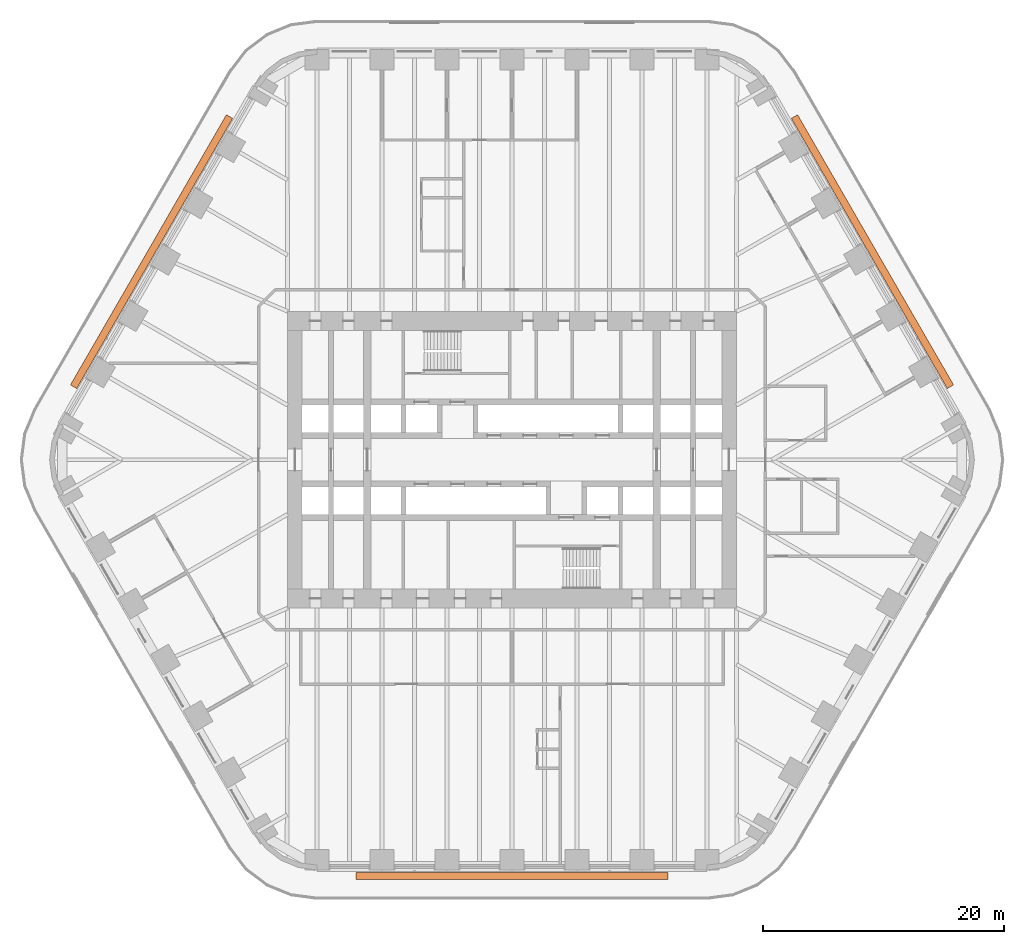
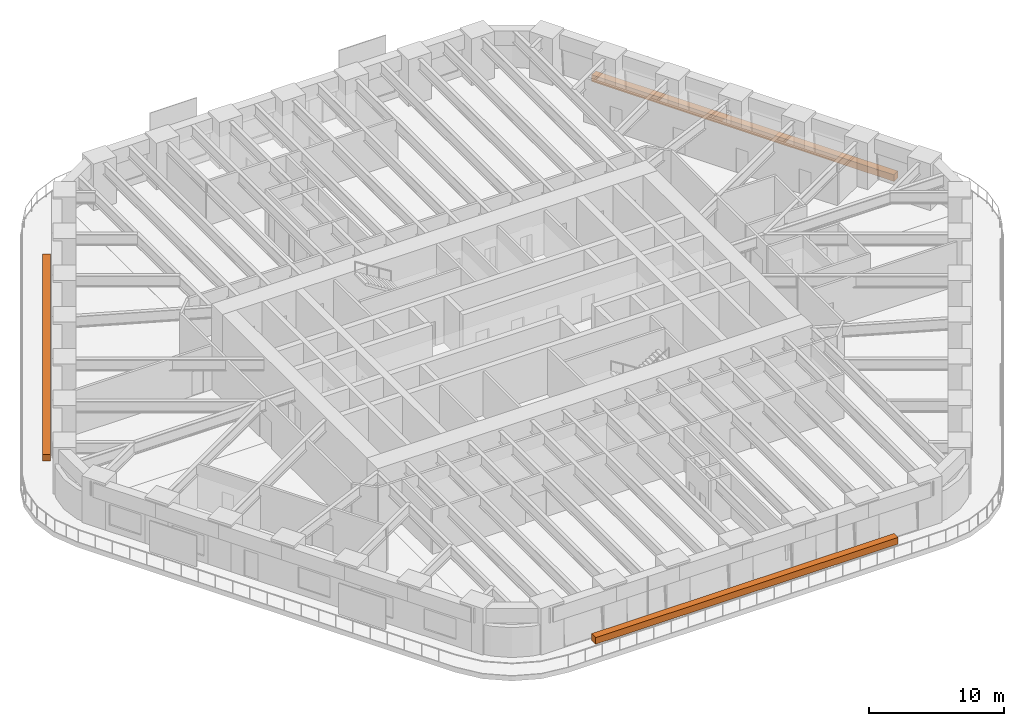
# One storey, part 24 of 24: 3 proxies.
"""IFC4 building model written with IfcOpenShell, lengths in metres."""

import ifcopenshell
import ifcopenshell.guid

model = None  # the IFC model being written
_history = None  # IfcOwnerHistory: only IFC2X3 demands one
_inside = {}  # id of a spatial element -> (the spatial element, [elements in it])
_under = {}  # id of a project, library or spatial element -> (it, [spatial elements below it])
_declared = {}  # id of a project -> (the project, [libraries it declares])
_typed = {}  # id of a type object -> (the type object, [elements of that type])
_made_of = {}  # id of a material, layer set ... -> (it, [elements and type objects made of it])


def new_model(schema):
    """Start an empty IFC model of exactly this schema.

    Asked for "IFC4X3", IfcOpenShell would pick the latest addendum, in which some entities
    have other attributes; the version numbers below select the first issue.
    IFC2X3 requires an IfcOwnerHistory on every rooted entity: one is made here for all.
    """
    global model, _history
    if schema == "IFC4X3":
        model = ifcopenshell.file(schema_version=(4, 3, 0, 0))
    else:
        model = ifcopenshell.file(schema=schema)
    _inside.clear()
    _under.clear()
    _declared.clear()
    _typed.clear()
    _made_of.clear()
    _history = None
    if model.schema == "IFC2X3":
        org = make("IfcOrganization", Name="unknown")
        user = make(
            "IfcPersonAndOrganization",
            ThePerson=make("IfcPerson", FamilyName="unknown"),
            TheOrganization=org,
        )
        app = make(
            "IfcApplication",
            ApplicationDeveloper=org,
            Version="unknown",
            ApplicationFullName="unknown",
            ApplicationIdentifier="unknown",
        )
        _history = make(
            "IfcOwnerHistory",
            OwningUser=user,
            OwningApplication=app,
            ChangeAction="ADDED",
            CreationDate=0,
        )
    return model


def make(cls, **values):
    """One entity of the class cls with the attributes given. An attribute that is None is left unset."""
    return model.create_entity(
        cls, **{name: value for name, value in values.items() if value is not None}
    )


def rooted(cls, **values):
    """An entity with a GlobalId (a new one), such as an element, a storey or a relation."""
    return make(cls, GlobalId=ifcopenshell.guid.new(), OwnerHistory=_history, **values)


def si_unit(unit_type, name, prefix=None):
    """IfcSIUnit, for example si_unit("LENGTHUNIT", "METRE", prefix="MILLI")."""
    return make("IfcSIUnit", UnitType=unit_type, Prefix=prefix, Name=name)


def assignment(units):
    """IfcUnitAssignment: the units of a project."""
    return None if units is None else make("IfcUnitAssignment", Units=units)


def point(xyz):
    """IfcCartesianPoint."""
    return None if xyz is None else make("IfcCartesianPoint", Coordinates=xyz)


def direction(xyz):
    """IfcDirection."""
    return None if xyz is None else make("IfcDirection", DirectionRatios=xyz)


def frame(location, z_axis=None, x_axis=None):
    """IfcAxis2Placement3D, a coordinate frame: its origin and axes. An axis left out is left unset."""
    return make(
        "IfcAxis2Placement3D",
        Location=point(location),
        Axis=direction(z_axis),
        RefDirection=direction(x_axis),
    )


def frame_2d(location, x_axis=None):
    """IfcAxis2Placement2D, a coordinate frame in the plane: its origin and x axis."""
    return make(
        "IfcAxis2Placement2D", Location=point(location), RefDirection=direction(x_axis)
    )


def origin():
    """The frame at (0, 0, 0) with its axes left unset."""
    return frame((0.0, 0.0, 0.0))


def origin_2d():
    """The frame at (0, 0) in the plane with its x axis left unset."""
    return frame_2d((0.0, 0.0))


def place(relative_to, where):
    """IfcLocalPlacement: puts the frame where relative to a parent placement (None: the world)."""
    return make(
        "IfcLocalPlacement", PlacementRelTo=relative_to, RelativePlacement=where
    )


def context(
    kind, dimensions, precision=None, world=None, true_north=None, identifier=None
):
    """IfcGeometricRepresentationContext, for example the 3D "Model" context."""
    return make(
        "IfcGeometricRepresentationContext",
        ContextIdentifier=identifier,
        ContextType=kind,
        CoordinateSpaceDimension=dimensions,
        Precision=precision,
        WorldCoordinateSystem=world,
        TrueNorth=true_north,
    )


def subcontext(parent, identifier, kind, view, scale=None):
    """IfcGeometricRepresentationSubContext, for example "Body" below "Model"."""
    return make(
        "IfcGeometricRepresentationSubContext",
        ContextIdentifier=identifier,
        ContextType=kind,
        ParentContext=parent,
        TargetScale=scale,
        TargetView=view,
    )


def project(units=None, contexts=None):
    """IfcProject with its units and contexts."""
    return rooted(
        "IfcProject",
        Name="project",
        RepresentationContexts=contexts,
        UnitsInContext=assignment(units),
    )


def spatial(cls, under=None, at=None, **own):
    """A site, building, storey or space (cls), placed at a placement, below another one or the project."""
    s = rooted(cls, ObjectPlacement=at, **own)
    if under is not None:
        _under.setdefault(under.id(), (under, []))[1].append(s)
    return s


def profile(cls, at=None, kind="AREA", **sizes):
    """A parametric profile (cls). Its sizes go by their IFC names, for example OverallWidth=200.0."""
    return make(cls, ProfileType=kind, Position=at, **sizes)


def rectangle(**sizes):
    """IfcRectangleProfileDef."""
    return profile("IfcRectangleProfileDef", **sizes)


def extrude(swept, where, along, depth):
    """IfcExtrudedAreaSolid: the profile swept, set in the frame where, extruded along a direction by depth."""
    return make(
        "IfcExtrudedAreaSolid",
        SweptArea=swept,
        Position=where,
        ExtrudedDirection=direction(along),
        Depth=depth,
    )


def shape(context_of_items, identifier, shape_type, items):
    """IfcShapeRepresentation: the items that make up one representation, for example the "Body"."""
    return make(
        "IfcShapeRepresentation",
        ContextOfItems=context_of_items,
        RepresentationIdentifier=identifier,
        RepresentationType=shape_type,
        Items=items,
    )


def material(Name=None, Category=None):
    """IfcMaterial."""
    return make("IfcMaterial", Name=Name, Category=Category)


def made_of(thing, what):
    """Note that an element or type object is made of a material, layer set ...; save() writes the relation."""
    if what is not None:
        _made_of.setdefault(what.id(), (what, []))[1].append(thing)
    return thing


def element(
    cls,
    number,
    at=None,
    inside=None,
    cuts=None,
    type_object=None,
    material=None,
    context=None,
    identifier="Body",
    shape_type=None,
    held_by="IfcProductDefinitionShape",
    body=None,
    shapes=None,
    **own,
):
    """One element of the class cls, such as IfcWall. Its Tag is "e" and its number.

    at: its placement. inside: the storey or other place that contains it. cuts: it is an
    opening in that element (IfcRelVoidsElement). A single representation is given by context,
    identifier, shape_type and body (its items); several are given by shapes. held_by: the class
    of the entity that holds the representations. save() writes the other relations.
    """
    e = rooted(cls, Tag="e%d" % number, ObjectPlacement=at, **own)
    if body is not None:
        shapes = [shape(context, identifier, shape_type, body)]
    if shapes is not None:
        e.Representation = make(held_by, Representations=shapes)
    if inside is not None:
        _inside.setdefault(inside.id(), (inside, []))[1].append(e)
    if cuts is not None:
        rooted(
            "IfcRelVoidsElement", RelatingBuildingElement=cuts, RelatedOpeningElement=e
        )
    if type_object is not None:
        _typed.setdefault(type_object.id(), (type_object, []))[1].append(e)
    return made_of(e, material)


def aggregate(whole, parts):
    """IfcRelAggregates: a whole, such as a stair, and the parts it consists of."""
    return rooted("IfcRelAggregates", RelatingObject=whole, RelatedObjects=parts)


def save(model, path):
    """Write the relations noted so far, then the file.

    IfcRelAggregates (storeys below a building ...), IfcRelContainedInSpatialStructure (elements
    in a storey), IfcRelDefinesByType, IfcRelAssociatesMaterial and IfcRelDeclares: one each for
    every whole, place, type object, material and project.
    """
    for whole, parts in _under.values():
        aggregate(whole, parts)
    for where, things in _inside.values():
        rooted(
            "IfcRelContainedInSpatialStructure",
            RelatedElements=things,
            RelatingStructure=where,
        )
    for kind, things in _typed.values():
        rooted("IfcRelDefinesByType", RelatedObjects=things, RelatingType=kind)
    for what, things in _made_of.values():
        rooted("IfcRelAssociatesMaterial", RelatedObjects=things, RelatingMaterial=what)
    for by, libraries in _declared.values():
        rooted("IfcRelDeclares", RelatingContext=by, RelatedDefinitions=libraries)
    model.write(path)


model = new_model("IFC4")

# Units and contexts
model_context = context("Model", 3, precision=1e-05, world=origin(), true_north=direction((0.0, 1.0)))
body_context = subcontext(model_context, "Body", "Model", "MODEL_VIEW")
ifc_project = project(units=[si_unit("LENGTHUNIT", "METRE"), si_unit("AREAUNIT", "SQUARE_METRE"), si_unit("VOLUMEUNIT", "CUBIC_METRE"), si_unit("PLANEANGLEUNIT", "RADIAN"), si_unit("MASSUNIT", "GRAM", prefix="KILO")], contexts=[model_context])

# Site, building, storey
site_placement = place(None, origin())
site = spatial("IfcSite", under=ifc_project, at=site_placement, CompositionType="ELEMENT")
building_placement = place(site_placement, origin())
building = spatial("IfcBuilding", under=site, at=building_placement, Name="Tarfa Lantern Tower", CompositionType="ELEMENT")
storey_placement = place(building_placement, frame((0.0, 0.0, 69.699951171875)))
storey = spatial("IfcBuildingStorey", under=building, at=storey_placement, Name="L15", CompositionType="ELEMENT", Elevation=69.699951171875)

# Proxies
ifc_material = material(Name="Planting bed")
for number, where, z_axis, x_axis, name in (
    (1, (29.8779296875, 17.25, 0.0), (0.0, 0.0, 1.0), (-0.5, 0.866025403784, 0.0), "Balcony planter"),
    (2, (-29.8779296875, 17.25, 0.0), (0.0, 0.0, 1.0), (-0.5, -0.866025403784, 0.0), "Balcony planter"),
    (3, (0.0, -34.5, 0.0), (0.0, 0.0, 1.0), (1.0, 0.0, 0.0), "Balcony planter"),
):
    element("IfcBuildingElementProxy", number, at=place(storey_placement, frame(where, z_axis=z_axis, x_axis=x_axis)), inside=storey, material=ifc_material, Name=name, ObjectType="PLANTER", PredefinedType="USERDEFINED", context=body_context, shape_type="SweptSolid", body=[
        extrude(rectangle(XDim=25.865234375, YDim=0.60009765625, at=origin_2d()), origin(), (0.0, 0.0, 1.0), 0.60009765625),
    ])

save(model, "model.ifc")
